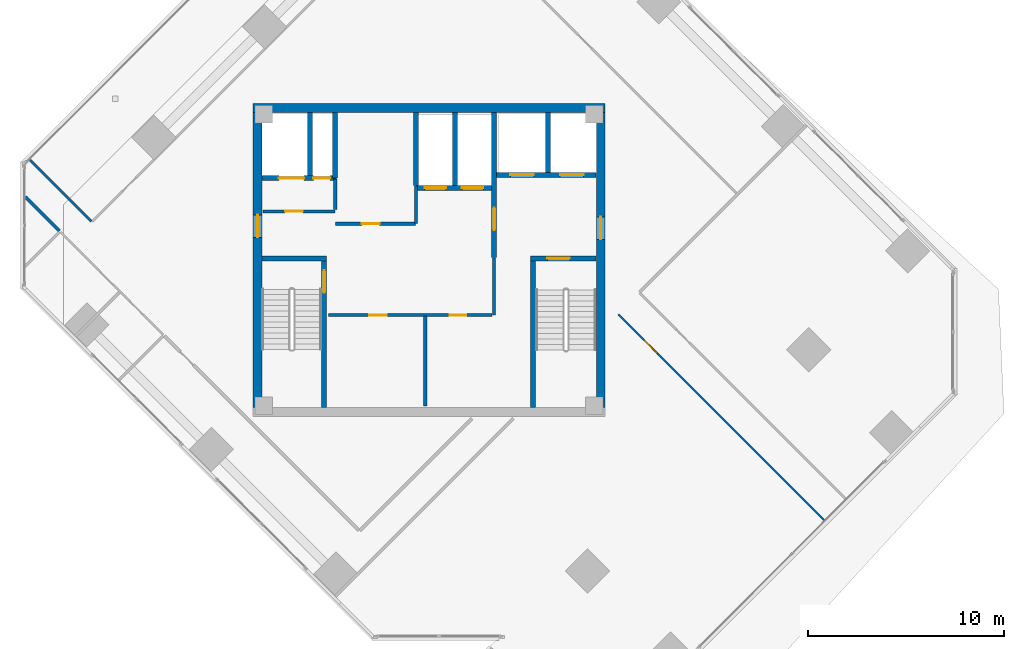
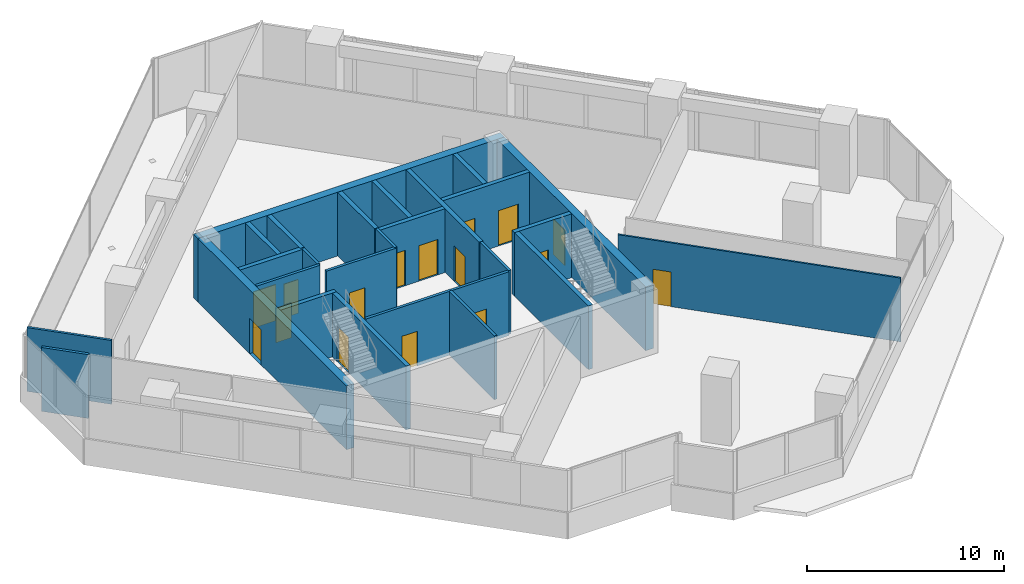
# One storey, part 13 of 17: 26 walls, 16 doors, 16 openings.
"""IFC4 building model written with IfcOpenShell, lengths in metres."""

from ifc_helpers import new_model, si_unit, direction, frame, frame_2d, origin, place, context, subcontext, project, spatial, rectangle, extrude, source, transform, mapped, material, layer, layer_set, type_object, element, fill, save


model = new_model("IFC4")

# Units and contexts
model_context = context("Model", 3, precision=1e-05, world=origin(), true_north=direction((0.0, 1.0)))
body_context = subcontext(model_context, "Body", "Model", "MODEL_VIEW")
ifc_project = project(units=[si_unit("LENGTHUNIT", "METRE"), si_unit("AREAUNIT", "SQUARE_METRE"), si_unit("VOLUMEUNIT", "CUBIC_METRE"), si_unit("PLANEANGLEUNIT", "RADIAN"), si_unit("MASSUNIT", "GRAM", prefix="KILO")], contexts=[model_context])

# Site, building, storey
site_placement = place(None, origin())
site = spatial("IfcSite", under=ifc_project, at=site_placement, CompositionType="ELEMENT")
building_placement = place(site_placement, origin())
building = spatial("IfcBuilding", under=site, at=building_placement, Name="Torre Montelarca", CompositionType="ELEMENT")
storey_placement = place(building_placement, frame((0.0, 0.0, 241.60009765625)))
storey = spatial("IfcBuildingStorey", under=building, at=storey_placement, Name="L54", CompositionType="ELEMENT", Elevation=241.60009765625)

# Wall, opening, door
ifc_material_1 = material(Name="Concrete C40/50", Category="concrete")
ifc_layer_1 = layer(ifc_material_1, 0.25, Name="Concrete C40/50", Category="concrete")
ifc_layer_set_1 = layer_set([ifc_layer_1], Name="Concrete C40/50")
wall_type_1 = type_object("IfcWallType", Name="CW-SHAFT-250", PredefinedType="SHEAR", material=ifc_layer_set_1)
wall_1_placement = place(storey_placement, frame((12.625, 24.4599609375, 0.0), z_axis=(0.0, 0.0, 1.0), x_axis=(0.0, 1.0, 0.0)))
wall_1 = element("IfcWall", 1, at=wall_1_placement, inside=storey, type_object=wall_type_1, Name="L54 Core Shear Wall SH-ST1-E", PredefinedType="SHEAR", context=body_context, shape_type="SweptSolid", body=[
    extrude(rectangle(XDim=7.489990234375, YDim=0.25, at=frame_2d((3.7451171875, 0.0))), origin(), (0.0, 0.0, 1.0), 3.9599609375),
])
opening_1_placement = place(wall_1_placement, frame((5.85009765625, 0.0, 0.0)))
opening_1 = element("IfcOpeningElement", 2, at=opening_1_placement, cuts=wall_1, Name="Opening FD-ST1", PredefinedType="OPENING", context=body_context, shape_type="SweptSolid", body=[
    extrude(rectangle(XDim=1.14990234375, YDim=2.199951171875, at=frame_2d((0.574951171875, 1.10009765625))), frame((0.0, 0.135009765625, 0.0), z_axis=(0.0, -1.0, 0.0), x_axis=(1.0, 0.0, 0.0)), (0.0, 0.0, 1.0), 0.27001953125),
])
ifc_material_2 = material(Name="Galvanized steel fire door", Category="steel")
door_type_1 = type_object("IfcDoorType", Name="DR-STAIR-115", OperationType="NOTDEFINED", PredefinedType="DOOR", material=ifc_material_2)
shared_shape_1 = source(origin(), body_context, "Body", "SweptSolid", [
    extrude(rectangle(XDim=1.14990234375, YDim=2.199951171875, at=frame_2d((0.574951171875, 1.10009765625))), frame((0.0, 0.02490234375, 0.0), z_axis=(0.0, -1.0, 0.0), x_axis=(1.0, 0.0, 0.0)), (0.0, 0.0, 1.0), 0.050048828125),
])
door_1_placement = place(opening_1_placement, origin())
door_1 = element("IfcDoor", 3, at=door_1_placement, inside=storey, type_object=door_type_1, Name="L54 Exit Stair ST1 Fire Door", OperationType="SINGLE_SWING_RIGHT", OverallHeight=2.199951171875, OverallWidth=1.14990234375, PredefinedType="DOOR", context=body_context, shape_type="MappedRepresentation", body=[
    mapped(shared_shape_1, transform((0.0, 0.0, 0.0), scale=1.0)),
])
fill(opening_1, door_1)

# Walls
wall_2_placement = place(storey_placement, frame((9.4599609375, 32.074951171875, 0.0), z_axis=(0.0, 0.0, 1.0), x_axis=(1.0, 0.0, 0.0)))
element("IfcWall", 4, at=wall_2_placement, inside=storey, type_object=wall_type_1, Name="L54 Core Shear Wall SH-ST1-N", PredefinedType="SHEAR", context=body_context, shape_type="SweptSolid", body=[
    extrude(rectangle(XDim=3.2900390625, YDim=0.25, at=frame_2d((1.64501953125, 0.0))), origin(), (0.0, 0.0, 1.0), 3.9599609375),
])
wall_3_placement = place(storey_placement, frame((23.31494140625, 24.4599609375, 0.0), z_axis=(0.0, 0.0, 1.0), x_axis=(0.0, 1.0, 0.0)))
element("IfcWall", 5, at=wall_3_placement, inside=storey, type_object=wall_type_1, Name="L54 Core Shear Wall SH-ST2-W", PredefinedType="SHEAR", context=body_context, shape_type="SweptSolid", body=[
    extrude(rectangle(XDim=7.489990234375, YDim=0.25, at=frame_2d((3.7451171875, 0.0))), origin(), (0.0, 0.0, 1.0), 3.9599609375),
])

# Wall, opening, door
wall_4_placement = place(storey_placement, frame((23.18994140625, 32.074951171875, 0.0), z_axis=(0.0, 0.0, 1.0), x_axis=(1.0, 0.0, 0.0)))
wall_4 = element("IfcWall", 6, at=wall_4_placement, inside=storey, type_object=wall_type_1, Name="L54 Core Shear Wall SH-ST2-N", PredefinedType="SHEAR", context=body_context, shape_type="SweptSolid", body=[
    extrude(rectangle(XDim=3.35009765625, YDim=0.25, at=frame_2d((1.675048828125, 0.0))), origin(), (0.0, 0.0, 1.0), 3.9599609375),
])
opening_2_placement = place(wall_4_placement, frame((0.85009765625, 0.0, 0.0)))
opening_2 = element("IfcOpeningElement", 7, at=opening_2_placement, cuts=wall_4, Name="Opening FD-ST1", PredefinedType="OPENING", context=body_context, shape_type="SweptSolid", body=[
    extrude(rectangle(XDim=1.14990234375, YDim=2.199951171875, at=frame_2d((0.574951171875, 1.10009765625))), frame((0.0, 0.135009765625, 0.0), z_axis=(0.0, -1.0, 0.0), x_axis=(1.0, 0.0, 0.0)), (0.0, 0.0, 1.0), 0.27001953125),
])
door_2_placement = place(opening_2_placement, origin())
door_2 = element("IfcDoor", 8, at=door_2_placement, inside=storey, type_object=door_type_1, Name="L54 Exit Stair ST2 Fire Door", OperationType="SINGLE_SWING_RIGHT", OverallHeight=2.199951171875, OverallWidth=1.14990234375, PredefinedType="DOOR", context=body_context, shape_type="MappedRepresentation", body=[
    mapped(shared_shape_1, transform((0.0, 0.0, 0.0), scale=1.0)),
])
fill(opening_2, door_2)

wall_5_placement = place(storey_placement, frame((21.320068359375, 32.1201171875, 0.0), z_axis=(0.0, 0.0, 1.0), x_axis=(0.0, 1.0, 0.0)))
wall_5 = element("IfcWall", 9, at=wall_5_placement, inside=storey, type_object=wall_type_1, Name="L54 Core Shear Wall SH-FFL-W", PredefinedType="SHEAR", context=body_context, shape_type="SweptSolid", body=[
    extrude(rectangle(XDim=7.419921875, YDim=0.25, at=frame_2d((3.7099609375, 0.0))), origin(), (0.0, 0.0, 1.0), 3.9599609375),
])
opening_3_placement = place(wall_5_placement, frame((1.39990234375, 0.0, 0.0)))
opening_3 = element("IfcOpeningElement", 10, at=opening_3_placement, cuts=wall_5, Name="Opening FD-LB1", PredefinedType="OPENING", context=body_context, shape_type="SweptSolid", body=[
    extrude(rectangle(XDim=1.14990234375, YDim=2.199951171875, at=frame_2d((0.574951171875, 1.10009765625))), frame((0.0, 0.135009765625, 0.0), z_axis=(0.0, -1.0, 0.0), x_axis=(1.0, 0.0, 0.0)), (0.0, 0.0, 1.0), 0.27001953125),
])
ifc_material_3 = material(Name="Acoustic timber-veneered fire door", Category="wood")
door_type_2 = type_object("IfcDoorType", Name="DR-LOBBY-115", OperationType="NOTDEFINED", PredefinedType="DOOR", material=ifc_material_3)
shared_shape_2 = source(origin(), body_context, "Body", "SweptSolid", [
    extrude(rectangle(XDim=1.14990234375, YDim=2.199951171875, at=frame_2d((0.574951171875, 1.10009765625))), frame((0.0, 0.02490234375, 0.0), z_axis=(0.0, -1.0, 0.0), x_axis=(1.0, 0.0, 0.0)), (0.0, 0.0, 1.0), 0.050048828125),
])
door_3_placement = place(opening_3_placement, origin())
door_3 = element("IfcDoor", 11, at=door_3_placement, inside=storey, type_object=door_type_2, Name="L54 Lift Lobby to Firefighting Lobby Smoke Door", OperationType="SINGLE_SWING_LEFT", OverallHeight=2.199951171875, OverallWidth=1.14990234375, PredefinedType="DOOR", context=body_context, shape_type="MappedRepresentation", body=[
    mapped(shared_shape_2, transform((0.0, 0.0, 0.0), scale=1.0)),
])
fill(opening_3, door_3)

# Wall, openings, doors
wall_6_placement = place(storey_placement, frame((9.4599609375, 36.179931640625, 0.0), z_axis=(0.0, 0.0, 1.0), x_axis=(1.0, 0.0, 0.0)))
wall_6 = element("IfcWall", 12, at=wall_6_placement, inside=storey, type_object=wall_type_1, Name="L54 Core Shear Wall SH-SV1-S", PredefinedType="SHEAR", context=body_context, shape_type="SweptSolid", body=[
    extrude(rectangle(XDim=3.7900390625, YDim=0.25, at=frame_2d((1.89501953125, 0.0))), origin(), (0.0, 0.0, 1.0), 3.9599609375),
])
opening_4_placement = place(wall_6_placement, frame((2.6201171875, 0.0, 0.0)))
opening_4 = element("IfcOpeningElement", 13, at=opening_4_placement, cuts=wall_6, Name="Opening FD-085", PredefinedType="OPENING", context=body_context, shape_type="SweptSolid", body=[
    extrude(rectangle(XDim=0.85009765625, YDim=2.10009765625, at=frame_2d((0.425048828125, 1.050048828125))), frame((0.0, 0.135009765625, 0.0), z_axis=(0.0, -1.0, 0.0), x_axis=(1.0, 0.0, 0.0)), (0.0, 0.0, 1.0), 0.27001953125),
])
opening_5_placement = place(wall_6_placement, frame((0.85009765625, 0.0, 0.0)))
opening_5 = element("IfcOpeningElement", 14, at=opening_5_placement, cuts=wall_6, Name="Opening LD-130", PredefinedType="OPENING", context=body_context, shape_type="SweptSolid", body=[
    extrude(rectangle(XDim=1.300048828125, YDim=2.25, at=frame_2d((0.64990234375, 1.125))), frame((0.0, 0.135009765625, 0.0), z_axis=(0.0, -1.0, 0.0), x_axis=(1.0, 0.0, 0.0)), (0.0, 0.0, 1.0), 0.27001953125),
])
ifc_material_4 = material(Name="Steel riser access fire door", Category="steel")
door_type_3 = type_object("IfcDoorType", Name="DR-RISER-085", OperationType="NOTDEFINED", PredefinedType="DOOR", material=ifc_material_4)
shared_shape_3 = source(origin(), body_context, "Body", "SweptSolid", [
    extrude(rectangle(XDim=0.85009765625, YDim=2.10009765625, at=frame_2d((0.425048828125, 1.050048828125))), frame((0.0, 0.02490234375, 0.0), z_axis=(0.0, -1.0, 0.0), x_axis=(1.0, 0.0, 0.0)), (0.0, 0.0, 1.0), 0.050048828125),
])
door_4_placement = place(opening_4_placement, origin())
door_4 = element("IfcDoor", 15, at=door_4_placement, inside=storey, type_object=door_type_3, Name="L54 Electrical Riser Shaft Access Door", OperationType="SINGLE_SWING_RIGHT", OverallHeight=2.10009765625, OverallWidth=0.85009765625, PredefinedType="DOOR", context=body_context, shape_type="MappedRepresentation", body=[
    mapped(shared_shape_3, transform((0.0, 0.0, 0.0), scale=1.0)),
])
fill(opening_4, door_4)
ifc_material_5 = material(Name="Brushed stainless steel AISI 316", Category="steel")
door_type_4 = type_object("IfcDoorType", Name="DR-LIFT-130", OperationType="SLIDING_TO_LEFT", PredefinedType="DOOR", material=ifc_material_5)
shared_shape_4 = source(origin(), body_context, "Body", "SweptSolid", [
    extrude(rectangle(XDim=1.300048828125, YDim=2.25, at=frame_2d((0.64990234375, 1.125))), frame((0.0, 0.02490234375, 0.0), z_axis=(0.0, -1.0, 0.0), x_axis=(1.0, 0.0, 0.0)), (0.0, 0.0, 1.0), 0.050048828125),
])
door_5_placement = place(opening_5_placement, origin())
door_5 = element("IfcDoor", 16, at=door_5_placement, inside=storey, type_object=door_type_4, Name="L54 Lift Landing Sliding Door SV-1", OperationType="SLIDING_TO_LEFT", OverallHeight=2.25, OverallWidth=1.300048828125, PredefinedType="DOOR", context=body_context, shape_type="MappedRepresentation", body=[
    mapped(shared_shape_4, transform((0.0, 0.0, 0.0), scale=1.0)),
])
fill(opening_5, door_5)

# Wall
wall_7_placement = place(storey_placement, frame((11.89990234375, 36.31005859375, 0.0), z_axis=(0.0, 0.0, 1.0), x_axis=(0.0, 1.0, 0.0)))
element("IfcWall", 17, at=wall_7_placement, inside=storey, type_object=wall_type_1, Name="L54 Core Shear Wall SH-SV1-E", PredefinedType="SHEAR", context=body_context, shape_type="SweptSolid", body=[
    extrude(rectangle(XDim=3.22998046875, YDim=0.25, at=frame_2d((1.614990234375, 0.0))), origin(), (0.0, 0.0, 1.0), 3.9599609375),
])

# Wall, openings, doors
wall_8_placement = place(storey_placement, frame((21.449951171875, 36.35009765625, 0.0), z_axis=(0.0, 0.0, 1.0), x_axis=(1.0, 0.0, 0.0)))
wall_8 = element("IfcWall", 18, at=wall_8_placement, inside=storey, type_object=wall_type_1, Name="L54 Core Shear Wall SH-FF-S", PredefinedType="SHEAR", context=body_context, shape_type="SweptSolid", body=[
    extrude(rectangle(XDim=5.090087890625, YDim=0.25, at=frame_2d((2.544921875, 0.0))), origin(), (0.0, 0.0, 1.0), 3.9599609375),
])
opening_6_placement = place(wall_8_placement, frame((0.699951171875, 0.0, 0.0)))
opening_6 = element("IfcOpeningElement", 19, at=opening_6_placement, cuts=wall_8, Name="Opening LD-120", PredefinedType="OPENING", context=body_context, shape_type="SweptSolid", body=[
    extrude(rectangle(XDim=1.199951171875, YDim=2.199951171875, at=frame_2d((0.60009765625, 1.10009765625))), frame((0.0, 0.135009765625, 0.0), z_axis=(0.0, -1.0, 0.0), x_axis=(1.0, 0.0, 0.0)), (0.0, 0.0, 1.0), 0.27001953125),
])
opening_7_placement = place(wall_8_placement, frame((3.25, 0.0, 0.0)))
opening_7 = element("IfcOpeningElement", 20, at=opening_7_placement, cuts=wall_8, Name="Opening LD-120", PredefinedType="OPENING", context=body_context, shape_type="SweptSolid", body=[
    extrude(rectangle(XDim=1.199951171875, YDim=2.199951171875, at=frame_2d((0.60009765625, 1.10009765625))), frame((0.0, 0.135009765625, 0.0), z_axis=(0.0, -1.0, 0.0), x_axis=(1.0, 0.0, 0.0)), (0.0, 0.0, 1.0), 0.27001953125),
])
door_type_5 = type_object("IfcDoorType", Name="DR-LIFT-120", OperationType="SLIDING_TO_RIGHT", PredefinedType="DOOR", material=ifc_material_5)
shared_shape_5 = source(origin(), body_context, "Body", "SweptSolid", [
    extrude(rectangle(XDim=1.199951171875, YDim=2.199951171875, at=frame_2d((0.60009765625, 1.10009765625))), frame((0.0, 0.02490234375, 0.0), z_axis=(0.0, -1.0, 0.0), x_axis=(1.0, 0.0, 0.0)), (0.0, 0.0, 1.0), 0.050048828125),
])
door_6_placement = place(opening_6_placement, origin())
door_6 = element("IfcDoor", 21, at=door_6_placement, inside=storey, type_object=door_type_5, Name="L54 Lift Landing Sliding Door FF-1", OperationType="SLIDING_TO_LEFT", OverallHeight=2.199951171875, OverallWidth=1.199951171875, PredefinedType="DOOR", context=body_context, shape_type="MappedRepresentation", body=[
    mapped(shared_shape_5, transform((0.0, 0.0, 0.0), scale=1.0)),
])
fill(opening_6, door_6)
door_7_placement = place(opening_7_placement, origin())
door_7 = element("IfcDoor", 22, at=door_7_placement, inside=storey, type_object=door_type_5, Name="L54 Lift Landing Sliding Door FF-2", OperationType="SLIDING_TO_RIGHT", OverallHeight=2.199951171875, OverallWidth=1.199951171875, PredefinedType="DOOR", context=body_context, shape_type="MappedRepresentation", body=[
    mapped(shared_shape_5, transform((0.0, 0.0, 0.0), scale=1.0)),
])
fill(opening_7, door_7)

# Walls
wall_9_placement = place(storey_placement, frame((24.080078125, 36.47998046875, 0.0), z_axis=(0.0, 0.0, 1.0), x_axis=(0.0, 1.0, 0.0)))
element("IfcWall", 23, at=wall_9_placement, inside=storey, type_object=wall_type_1, Name="L54 Core Shear Wall SH-FF-M", PredefinedType="SHEAR", context=body_context, shape_type="SweptSolid", body=[
    extrude(rectangle(XDim=3.06005859375, YDim=0.25, at=frame_2d((1.530029296875, 0.0))), origin(), (0.0, 0.0, 1.0), 3.9599609375),
])
wall_10_placement = place(storey_placement, frame((13.179931640625, 36.199951171875, 0.0), z_axis=(0.0, 0.0, 1.0), x_axis=(0.0, 1.0, 0.0)))
element("IfcWall", 24, at=wall_10_placement, inside=storey, type_object=wall_type_1, Name="L54 Core Shear Wall SH-RSR1-E", PredefinedType="SHEAR", context=body_context, shape_type="SweptSolid", body=[
    extrude(rectangle(XDim=3.340087890625, YDim=0.25, at=frame_2d((1.669921875, 0.0))), origin(), (0.0, 0.0, 1.0), 3.9599609375),
])

# Wall, openings, doors
wall_11_placement = place(storey_placement, frame((17.320068359375, 35.679931640625, 0.0), z_axis=(0.0, 0.0, 1.0), x_axis=(1.0, 0.0, 0.0)))
wall_11 = element("IfcWall", 25, at=wall_11_placement, inside=storey, type_object=wall_type_1, Name="L54 Core Shear Wall SH-PLH-S", PredefinedType="SHEAR", context=body_context, shape_type="SweptSolid", body=[
    extrude(rectangle(XDim=3.869873046875, YDim=0.25, at=frame_2d((1.93505859375, 0.0))), origin(), (0.0, 0.0, 1.0), 3.9599609375),
])
opening_8_placement = place(wall_11_placement, frame((0.449951171875, 0.0, 0.0)))
opening_8 = element("IfcOpeningElement", 26, at=opening_8_placement, cuts=wall_11, Name="Opening LD-110", PredefinedType="OPENING", context=body_context, shape_type="SweptSolid", body=[
    extrude(rectangle(XDim=1.10009765625, YDim=2.199951171875, at=frame_2d((0.550048828125, 1.10009765625))), frame((0.0, 0.135009765625, 0.0), z_axis=(0.0, -1.0, 0.0), x_axis=(1.0, 0.0, 0.0)), (0.0, 0.0, 1.0), 0.27001953125),
])
opening_9_placement = place(wall_11_placement, frame((2.35009765625, 0.0, 0.0)))
opening_9 = element("IfcOpeningElement", 27, at=opening_9_placement, cuts=wall_11, Name="Opening LD-110", PredefinedType="OPENING", context=body_context, shape_type="SweptSolid", body=[
    extrude(rectangle(XDim=1.10009765625, YDim=2.199951171875, at=frame_2d((0.550048828125, 1.10009765625))), frame((0.0, 0.135009765625, 0.0), z_axis=(0.0, -1.0, 0.0), x_axis=(1.0, 0.0, 0.0)), (0.0, 0.0, 1.0), 0.27001953125),
])
door_type_6 = type_object("IfcDoorType", Name="DR-LIFT-110", OperationType="SLIDING_TO_LEFT", PredefinedType="DOOR", material=ifc_material_5)
shared_shape_6 = source(origin(), body_context, "Body", "SweptSolid", [
    extrude(rectangle(XDim=1.10009765625, YDim=2.199951171875, at=frame_2d((0.550048828125, 1.10009765625))), frame((0.0, 0.02490234375, 0.0), z_axis=(0.0, -1.0, 0.0), x_axis=(1.0, 0.0, 0.0)), (0.0, 0.0, 1.0), 0.050048828125),
])
door_8_placement = place(opening_8_placement, origin())
door_8 = element("IfcDoor", 28, at=door_8_placement, inside=storey, type_object=door_type_6, Name="L54 Lift Landing Sliding Door PL-H1", OperationType="SLIDING_TO_LEFT", OverallHeight=2.199951171875, OverallWidth=1.10009765625, PredefinedType="DOOR", context=body_context, shape_type="MappedRepresentation", body=[
    mapped(shared_shape_6, transform((0.0, 0.0, 0.0), scale=1.0)),
])
fill(opening_8, door_8)
door_9_placement = place(opening_9_placement, origin())
door_9 = element("IfcDoor", 29, at=door_9_placement, inside=storey, type_object=door_type_6, Name="L54 Lift Landing Sliding Door PL-H2", OperationType="SLIDING_TO_RIGHT", OverallHeight=2.199951171875, OverallWidth=1.10009765625, PredefinedType="DOOR", context=body_context, shape_type="MappedRepresentation", body=[
    mapped(shared_shape_6, transform((0.0, 0.0, 0.0), scale=1.0)),
])
fill(opening_9, door_9)

# Walls
for number, where, z_axis, x_axis, name in (
    (30, (17.320068359375, 35.81005859375, 0.0), (0.0, 0.0, 1.0), (0.0, 1.0, 0.0), "L54 Core Shear Wall SH-PLH-W"),
    (31, (19.320068359375, 35.81005859375, 0.0), (0.0, 0.0, 1.0), (0.0, 1.0, 0.0), "L54 Core Shear Wall SH-PLH-M"),
):
    element("IfcWall", number, at=place(storey_placement, frame(where, z_axis=z_axis, x_axis=x_axis)), inside=storey, type_object=wall_type_1, Name=name, PredefinedType="SHEAR", context=body_context, shape_type="SweptSolid", body=[
        extrude(rectangle(XDim=3.72998046875, YDim=0.25, at=frame_2d((1.864990234375, 0.0))), origin(), (0.0, 0.0, 1.0), 3.9599609375),
    ])

# Wall, opening, door
ifc_material_6 = material(Name="Concrete C55/67", Category="concrete")
ifc_layer_2 = layer(ifc_material_6, 0.449951171875, Name="Concrete C55/67", Category="concrete")
ifc_layer_set_2 = layer_set([ifc_layer_2], Name="Concrete C55/67")
wall_type_2 = type_object("IfcWallType", Name="CW-SHEAR-450", PredefinedType="SHEAR", material=ifc_layer_set_2)
wall_12_placement = place(storey_placement, frame((9.22509765625, 24.449951171875, 0.0), z_axis=(0.0, 0.0, 1.0), x_axis=(0.0, 1.0, 0.0)))
wall_12 = element("IfcWall", 32, at=wall_12_placement, inside=storey, type_object=wall_type_2, Name="L54 Core Shear Wall CW-W", PredefinedType="SHEAR", context=body_context, shape_type="SweptSolid", body=[
    extrude(rectangle(XDim=15.10009765625, YDim=0.449951171875, at=frame_2d((7.550048828125, 0.0))), origin(), (0.0, 0.0, 1.0), 3.9599609375),
])
opening_10_placement = place(wall_12_placement, frame((8.699951171875, 0.0, 0.0)))
opening_10 = element("IfcOpeningElement", 33, at=opening_10_placement, cuts=wall_12, Name="Opening FD-LB1", PredefinedType="OPENING", context=body_context, shape_type="SweptSolid", body=[
    extrude(rectangle(XDim=1.14990234375, YDim=2.199951171875, at=frame_2d((0.574951171875, 1.10009765625))), frame((0.0, 0.23486328125, 0.0), z_axis=(0.0, -1.0, 0.0), x_axis=(1.0, 0.0, 0.0)), (0.0, 0.0, 1.0), 0.469970703125),
])
door_10_placement = place(opening_10_placement, origin())
door_10 = element("IfcDoor", 34, at=door_10_placement, inside=storey, type_object=door_type_2, Name="L54 Passenger Lift Lobby West Corridor Fire Door", OperationType="SINGLE_SWING_RIGHT", OverallHeight=2.199951171875, OverallWidth=1.14990234375, PredefinedType="DOOR", context=body_context, shape_type="MappedRepresentation", body=[
    mapped(shared_shape_2, transform((0.0, 0.0, 0.0), scale=1.0)),
])
fill(opening_10, door_10)

wall_13_placement = place(storey_placement, frame((26.77490234375, 24.449951171875, 0.0), z_axis=(0.0, 0.0, 1.0), x_axis=(0.0, 1.0, 0.0)))
wall_13 = element("IfcWall", 35, at=wall_13_placement, inside=storey, type_object=wall_type_2, Name="L54 Core Shear Wall CW-E", PredefinedType="SHEAR", context=body_context, shape_type="SweptSolid", body=[
    extrude(rectangle(XDim=15.10009765625, YDim=0.449951171875, at=frame_2d((7.550048828125, 0.0))), origin(), (0.0, 0.0, 1.0), 3.9599609375),
])
opening_11_placement = place(wall_13_placement, frame((8.60009765625, 0.0, 0.0)))
opening_11 = element("IfcOpeningElement", 36, at=opening_11_placement, cuts=wall_13, Name="Opening FD-LB1", PredefinedType="OPENING", context=body_context, shape_type="SweptSolid", body=[
    extrude(rectangle(XDim=1.14990234375, YDim=2.199951171875, at=frame_2d((0.574951171875, 1.10009765625))), frame((0.0, 0.23486328125, 0.0), z_axis=(0.0, -1.0, 0.0), x_axis=(1.0, 0.0, 0.0)), (0.0, 0.0, 1.0), 0.469970703125),
])
door_11_placement = place(opening_11_placement, origin())
door_11 = element("IfcDoor", 37, at=door_11_placement, inside=storey, type_object=door_type_2, Name="L54 Firefighting Lift Lobby Corridor Fire Door", OperationType="SINGLE_SWING_RIGHT", OverallHeight=2.199951171875, OverallWidth=1.14990234375, PredefinedType="DOOR", context=body_context, shape_type="MappedRepresentation", body=[
    mapped(shared_shape_2, transform((0.0, 0.0, 0.0), scale=1.0)),
])
fill(opening_11, door_11)

# Wall
wall_14_placement = place(storey_placement, frame((9.0, 39.77490234375, 0.0), z_axis=(0.0, 0.0, 1.0), x_axis=(1.0, 0.0, 0.0)))
element("IfcWall", 38, at=wall_14_placement, inside=storey, type_object=wall_type_2, Name="L54 Core Shear Wall CW-N1", PredefinedType="SHEAR", context=body_context, shape_type="SweptSolid", body=[
    extrude(rectangle(XDim=18.0, YDim=0.449951171875, at=frame_2d((9.0, 0.0))), origin(), (0.0, 0.0, 1.0), 3.9599609375),
])

# Wall, opening, door
ifc_material_7 = material(Name="Gypsum plasterboard on steel stud", Category="steel")
ifc_layer_3 = layer(ifc_material_7, 0.159912109375, Name="Gypsum plasterboard on steel stud", Category="steel")
ifc_layer_set_3 = layer_set([ifc_layer_3], Name="Gypsum plasterboard on steel stud")
wall_type_3 = type_object("IfcWallType", Name="PW-FIRE-160", PredefinedType="PARTITIONING", material=ifc_layer_set_3)
wall_15_placement = place(storey_placement, frame((9.489990234375, 34.47998046875, 0.0), z_axis=(0.0, 0.0, 1.0), x_axis=(1.0, 0.0, 0.0)))
wall_15 = element("IfcWall", 39, at=wall_15_placement, inside=storey, type_object=wall_type_3, Name="L54 Interior Partition CW-L54-SVS", PredefinedType="PARTITIONING", context=body_context, shape_type="SweptSolid", body=[
    extrude(rectangle(XDim=3.699951171875, YDim=0.159912109375, at=frame_2d((1.85009765625, 0.0))), origin(), (0.0, 0.0, 1.0), 3.9599609375),
])
opening_12_placement = place(wall_15_placement, frame((1.14990234375, 0.0, 0.0)))
opening_12 = element("IfcOpeningElement", 40, at=opening_12_placement, cuts=wall_15, Name="Opening FD-090", PredefinedType="OPENING", context=body_context, shape_type="SweptSolid", body=[
    extrude(rectangle(XDim=0.89990234375, YDim=2.14990234375, at=frame_2d((0.449951171875, 1.074951171875))), frame((0.0, 0.08984375, 0.0), z_axis=(0.0, -1.0, 0.0), x_axis=(1.0, 0.0, 0.0)), (0.0, 0.0, 1.0), 0.179931640625),
])
ifc_material_8 = material(Name="Steel service fire door", Category="steel")
door_type_7 = type_object("IfcDoorType", Name="DR-FIRE-090", OperationType="NOTDEFINED", PredefinedType="DOOR", material=ifc_material_8)
shared_shape_7 = source(origin(), body_context, "Body", "SweptSolid", [
    extrude(rectangle(XDim=0.89990234375, YDim=2.14990234375, at=frame_2d((0.449951171875, 1.074951171875))), frame((0.0, 0.02490234375, 0.0), z_axis=(0.0, -1.0, 0.0), x_axis=(1.0, 0.0, 0.0)), (0.0, 0.0, 1.0), 0.050048828125),
])
door_12_placement = place(opening_12_placement, origin())
door_12 = element("IfcDoor", 41, at=door_12_placement, inside=storey, type_object=door_type_7, Name="L54 Interior Door 01", OperationType="SINGLE_SWING_RIGHT", OverallHeight=2.14990234375, OverallWidth=0.89990234375, PredefinedType="DOOR", context=body_context, shape_type="MappedRepresentation", body=[
    mapped(shared_shape_7, transform((0.0, 0.0, 0.0), scale=1.0)),
])
fill(opening_12, door_12)

# Wall
wall_16_placement = place(storey_placement, frame((13.199951171875, 34.570068359375, 0.0), z_axis=(0.0, 0.0, 1.0), x_axis=(0.0, 1.0, 0.0)))
element("IfcWall", 42, at=wall_16_placement, inside=storey, type_object=wall_type_3, Name="L54 Interior Partition CW-L54-SVE", PredefinedType="PARTITIONING", context=body_context, shape_type="SweptSolid", body=[
    extrude(rectangle(XDim=1.56982421875, YDim=0.159912109375, at=frame_2d((0.784912109375, 0.0))), origin(), (0.0, 0.0, 1.0), 3.9599609375),
])

# Wall, opening, door
wall_17_placement = place(storey_placement, frame((13.2099609375, 33.85009765625, 0.0), z_axis=(0.0, 0.0, 1.0), x_axis=(1.0, 0.0, 0.0)))
wall_17 = element("IfcWall", 43, at=wall_17_placement, inside=storey, type_object=wall_type_3, Name="L54 Interior Partition CW-L54-FRMS", PredefinedType="PARTITIONING", context=body_context, shape_type="SweptSolid", body=[
    extrude(rectangle(XDim=4.10009765625, YDim=0.159912109375, at=frame_2d((2.050048828125, 0.0))), origin(), (0.0, 0.0, 1.0), 3.9599609375),
])
opening_13_placement = place(wall_17_placement, frame((1.35009765625, 0.0, 0.0)))
opening_13 = element("IfcOpeningElement", 44, at=opening_13_placement, cuts=wall_17, Name="Opening FD-090", PredefinedType="OPENING", context=body_context, shape_type="SweptSolid", body=[
    extrude(rectangle(XDim=0.89990234375, YDim=2.14990234375, at=frame_2d((0.449951171875, 1.074951171875))), frame((0.0, 0.08984375, 0.0), z_axis=(0.0, -1.0, 0.0), x_axis=(1.0, 0.0, 0.0)), (0.0, 0.0, 1.0), 0.179931640625),
])
door_13_placement = place(opening_13_placement, origin())
door_13 = element("IfcDoor", 45, at=door_13_placement, inside=storey, type_object=door_type_7, Name="L54 Interior Door 02", OperationType="SINGLE_SWING_LEFT", OverallHeight=2.14990234375, OverallWidth=0.89990234375, PredefinedType="DOOR", context=body_context, shape_type="MappedRepresentation", body=[
    mapped(shared_shape_7, transform((0.0, 0.0, 0.0), scale=1.0)),
])
fill(opening_13, door_13)

# Wall
wall_18_placement = place(storey_placement, frame((17.320068359375, 33.860107421875, 0.0), z_axis=(0.0, 0.0, 1.0), x_axis=(0.0, 1.0, 0.0)))
element("IfcWall", 46, at=wall_18_placement, inside=storey, type_object=wall_type_3, Name="L54 Interior Partition CW-L54-FRME", PredefinedType="PARTITIONING", context=body_context, shape_type="SweptSolid", body=[
    extrude(rectangle(XDim=1.929931640625, YDim=0.159912109375, at=frame_2d((0.96484375, 0.0))), origin(), (0.0, 0.0, 1.0), 3.9599609375),
])

# Wall, openings, doors
wall_19_placement = place(storey_placement, frame((12.840087890625, 29.179931640625, 0.0), z_axis=(0.0, 0.0, 1.0), x_axis=(1.0, 0.0, 0.0)))
wall_19 = element("IfcWall", 47, at=wall_19_placement, inside=storey, type_object=wall_type_3, Name="L54 Interior Partition CW-L54-FRDN", PredefinedType="PARTITIONING", context=body_context, shape_type="SweptSolid", body=[
    extrude(rectangle(XDim=8.369873046875, YDim=0.159912109375, at=frame_2d((4.18505859375, 0.0))), origin(), (0.0, 0.0, 1.0), 3.9599609375),
])
opening_14_placement = place(wall_19_placement, frame((2.10009765625, 0.0, 0.0)))
opening_14 = element("IfcOpeningElement", 48, at=opening_14_placement, cuts=wall_19, Name="Opening FD-090", PredefinedType="OPENING", context=body_context, shape_type="SweptSolid", body=[
    extrude(rectangle(XDim=0.89990234375, YDim=2.14990234375, at=frame_2d((0.449951171875, 1.074951171875))), frame((0.0, 0.08984375, 0.0), z_axis=(0.0, -1.0, 0.0), x_axis=(1.0, 0.0, 0.0)), (0.0, 0.0, 1.0), 0.179931640625),
])
opening_15_placement = place(wall_19_placement, frame((6.199951171875, 0.0, 0.0)))
opening_15 = element("IfcOpeningElement", 49, at=opening_15_placement, cuts=wall_19, Name="Opening FD-085", PredefinedType="OPENING", context=body_context, shape_type="SweptSolid", body=[
    extrude(rectangle(XDim=0.85009765625, YDim=2.10009765625, at=frame_2d((0.425048828125, 1.050048828125))), frame((0.0, 0.08984375, 0.0), z_axis=(0.0, -1.0, 0.0), x_axis=(1.0, 0.0, 0.0)), (0.0, 0.0, 1.0), 0.179931640625),
])
door_14_placement = place(opening_15_placement, origin())
door_14 = element("IfcDoor", 50, at=door_14_placement, inside=storey, type_object=door_type_3, Name="L54 Interior Door 04", OperationType="SINGLE_SWING_LEFT", OverallHeight=2.10009765625, OverallWidth=0.85009765625, PredefinedType="DOOR", context=body_context, shape_type="MappedRepresentation", body=[
    mapped(shared_shape_3, transform((0.0, 0.0, 0.0), scale=1.0)),
])
fill(opening_15, door_14)
door_15_placement = place(opening_14_placement, origin())
door_15 = element("IfcDoor", 51, at=door_15_placement, inside=storey, type_object=door_type_7, Name="L54 Interior Door 03", OperationType="SINGLE_SWING_RIGHT", OverallHeight=2.14990234375, OverallWidth=0.89990234375, PredefinedType="DOOR", context=body_context, shape_type="MappedRepresentation", body=[
    mapped(shared_shape_7, transform((0.0, 0.0, 0.0), scale=1.0)),
])
fill(opening_14, door_15)

# Walls
wall_20_placement = place(storey_placement, frame((17.800048828125, 24.5400390625, 0.0), z_axis=(0.0, 0.0, 1.0), x_axis=(0.0, 1.0, 0.0)))
element("IfcWall", 52, at=wall_20_placement, inside=storey, type_object=wall_type_3, Name="L54 Interior Partition CW-L54-FRD1", PredefinedType="PARTITIONING", context=body_context, shape_type="SweptSolid", body=[
    extrude(rectangle(XDim=4.599853515625, YDim=0.159912109375, at=frame_2d((2.2998046875, 0.0))), origin(), (0.0, 0.0, 1.0), 3.9599609375),
])
wall_21_placement = place(storey_placement, frame((21.320068359375, 29.18994140625, 0.0), z_axis=(0.0, 0.0, 1.0), x_axis=(0.0, 1.0, 0.0)))
element("IfcWall", 53, at=wall_21_placement, inside=storey, type_object=wall_type_3, Name="L54 Interior Partition CW-L54-FRE", PredefinedType="PARTITIONING", context=body_context, shape_type="SweptSolid", body=[
    extrude(rectangle(XDim=2.920166015625, YDim=0.159912109375, at=frame_2d((1.4599609375, 0.0))), origin(), (0.0, 0.0, 1.0), 3.9599609375),
])
wall_22_placement = place(storey_placement, frame((-2.65625, 35.225830078125, 0.0), z_axis=(0.0, 0.0, 1.0), x_axis=(0.707106781187, -0.707106781187, 0.0)))
element("IfcWall", 54, at=wall_22_placement, inside=storey, type_object=wall_type_3, Name="L54 Interior Partition W-L54-SOCCW", PredefinedType="PARTITIONING", context=body_context, shape_type="SweptSolid", body=[
    extrude(rectangle(XDim=2.47216796875, YDim=0.159912109375, at=frame_2d((1.236083984375, 0.0))), origin(), (0.0, 0.0, 1.0), 3.9599609375),
])

# Wall, opening, door
ifc_material_9 = material(Name="Acoustic laminated glass partition", Category="glass")
ifc_layer_4 = layer(ifc_material_9, 0.10009765625, Name="Acoustic laminated glass partition", Category="glass")
ifc_layer_set_4 = layer_set([ifc_layer_4], Name="Acoustic laminated glass partition")
wall_type_4 = type_object("IfcWallType", Name="PW-GLAZ-100", PredefinedType="PARTITIONING", material=ifc_layer_set_4)
wall_23_placement = place(storey_placement, frame((27.68017578125, 29.214111328125, 0.0), z_axis=(0.0, 0.0, 1.0), x_axis=(0.707106781187, -0.707106781187, 0.0)))
wall_23 = element("IfcWall", 55, at=wall_23_placement, inside=storey, type_object=wall_type_4, Name="L54 Interior Partition W-L54-SE-N", PredefinedType="PARTITIONING", context=body_context, shape_type="SweptSolid", body=[
    extrude(rectangle(XDim=14.8798828125, YDim=0.10009765625, at=frame_2d((7.43994140625, 0.0))), origin(), (0.0, 0.0, 1.0), 3.9599609375),
])
opening_16_placement = place(wall_23_placement, frame((1.85009765625, 0.0, 0.0)))
opening_16 = element("IfcOpeningElement", 56, at=opening_16_placement, cuts=wall_23, Name="Opening ID-095", PredefinedType="OPENING", context=body_context, shape_type="SweptSolid", body=[
    extrude(rectangle(XDim=0.949951171875, YDim=2.14990234375, at=frame_2d((0.47509765625, 1.074951171875))), frame((0.0, 0.06005859375, 0.0), z_axis=(0.0, -1.0, 0.0), x_axis=(1.0, 0.0, 0.0)), (0.0, 0.0, 1.0), 0.1201171875),
])
ifc_material_10 = material(Name="Hardwood acoustic timber veneer", Category="wood")
door_type_8 = type_object("IfcDoorType", Name="DR-INT-095", OperationType="NOTDEFINED", PredefinedType="DOOR", material=ifc_material_10)
shared_shape_8 = source(origin(), body_context, "Body", "SweptSolid", [
    extrude(rectangle(XDim=0.949951171875, YDim=2.14990234375, at=frame_2d((0.47509765625, 1.074951171875))), frame((0.0, 0.02490234375, 0.0), z_axis=(0.0, -1.0, 0.0), x_axis=(1.0, 0.0, 0.0)), (0.0, 0.0, 1.0), 0.050048828125),
])
door_16_placement = place(opening_16_placement, origin())
door_16 = element("IfcDoor", 57, at=door_16_placement, inside=storey, type_object=door_type_8, Name="L54 Interior Door 11", OperationType="SINGLE_SWING_LEFT", OverallHeight=2.14990234375, OverallWidth=0.949951171875, PredefinedType="DOOR", context=body_context, shape_type="MappedRepresentation", body=[
    mapped(shared_shape_8, transform((0.0, 0.0, 0.0), scale=1.0)),
])
fill(opening_16, door_16)

# Wall
ifc_layer_5 = layer(ifc_material_7, 0.135009765625, Name="Gypsum plasterboard on steel stud", Category="steel")
ifc_layer_set_5 = layer_set([ifc_layer_5], Name="Gypsum plasterboard on steel stud")
wall_type_5 = type_object("IfcWallType", Name="PW-PART-135", PredefinedType="PARTITIONING", material=ifc_layer_set_5)
wall_24_placement = place(storey_placement, frame((-2.414306640625, 37.105224609375, 0.0), z_axis=(0.0, 0.0, 1.0), x_axis=(0.707106781187, -0.707106781187, 0.0)))
element("IfcWall", 58, at=wall_24_placement, inside=storey, type_object=wall_type_5, Name="L54 Interior Partition W-L54-WWGS", PredefinedType="PARTITIONING", context=body_context, shape_type="SweptSolid", body=[
    extrude(rectangle(XDim=4.4296875, YDim=0.135009765625, at=frame_2d((2.21484375, 0.0))), origin(), (0.0, 0.0, 1.0), 3.9599609375),
])

save(model, "model.ifc")
